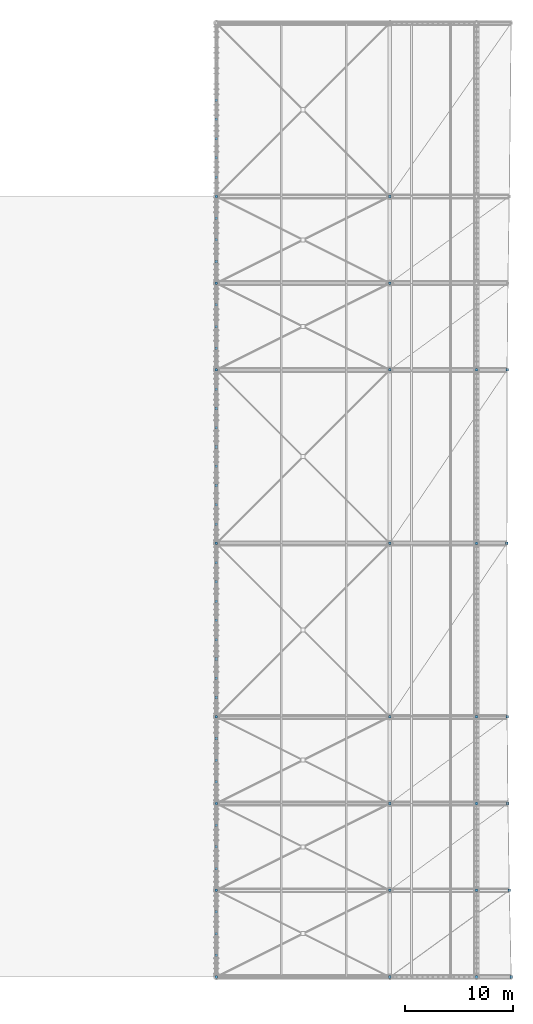
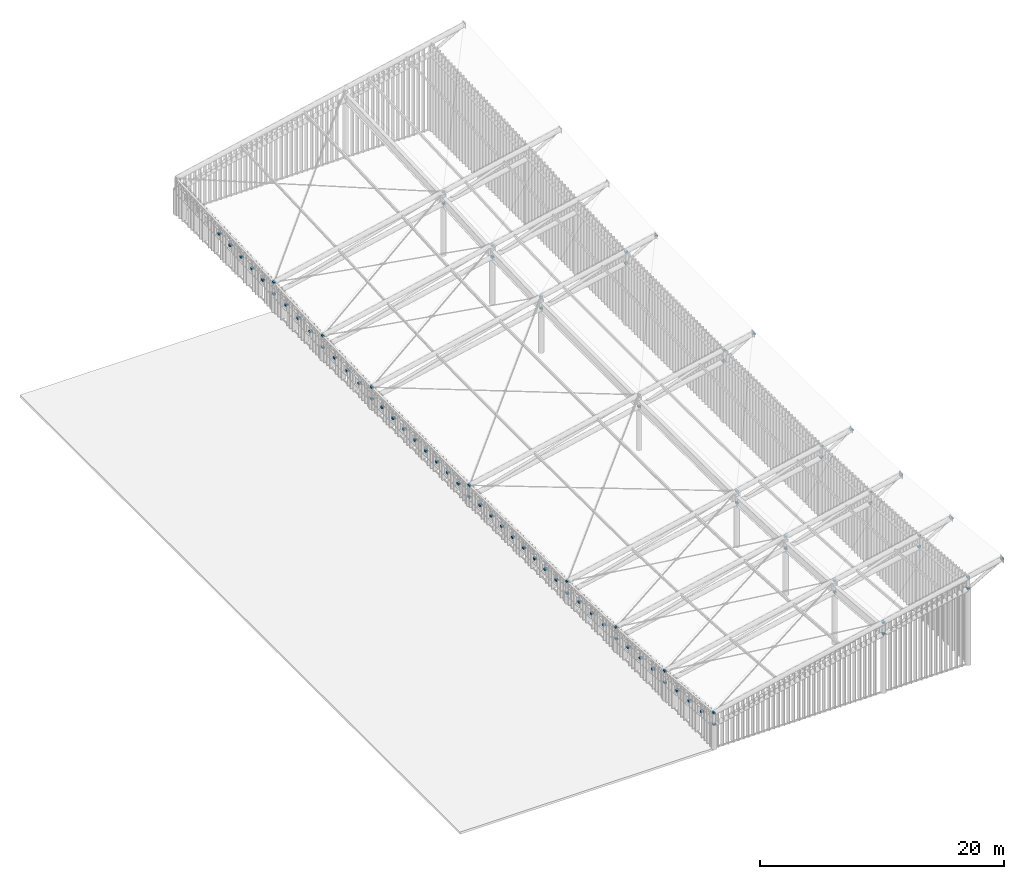
# One storey, part 23 of 25: 86 discrete accessories.
"""IFC4 building model written with IfcOpenShell, lengths in metres."""

import ifcopenshell
import ifcopenshell.guid

model = None  # the IFC model being written
_history = None  # IfcOwnerHistory: only IFC2X3 demands one
_inside = {}  # id of a spatial element -> (the spatial element, [elements in it])
_under = {}  # id of a project, library or spatial element -> (it, [spatial elements below it])
_declared = {}  # id of a project -> (the project, [libraries it declares])
_typed = {}  # id of a type object -> (the type object, [elements of that type])
_made_of = {}  # id of a material, layer set ... -> (it, [elements and type objects made of it])


def new_model(schema):
    """Start an empty IFC model of exactly this schema.

    Asked for "IFC4X3", IfcOpenShell would pick the latest addendum, in which some entities
    have other attributes; the version numbers below select the first issue.
    IFC2X3 requires an IfcOwnerHistory on every rooted entity: one is made here for all.
    """
    global model, _history
    if schema == "IFC4X3":
        model = ifcopenshell.file(schema_version=(4, 3, 0, 0))
    else:
        model = ifcopenshell.file(schema=schema)
    _inside.clear()
    _under.clear()
    _declared.clear()
    _typed.clear()
    _made_of.clear()
    _history = None
    if model.schema == "IFC2X3":
        org = make("IfcOrganization", Name="unknown")
        user = make(
            "IfcPersonAndOrganization",
            ThePerson=make("IfcPerson", FamilyName="unknown"),
            TheOrganization=org,
        )
        app = make(
            "IfcApplication",
            ApplicationDeveloper=org,
            Version="unknown",
            ApplicationFullName="unknown",
            ApplicationIdentifier="unknown",
        )
        _history = make(
            "IfcOwnerHistory",
            OwningUser=user,
            OwningApplication=app,
            ChangeAction="ADDED",
            CreationDate=0,
        )
    return model


def make(cls, **values):
    """One entity of the class cls with the attributes given. An attribute that is None is left unset."""
    return model.create_entity(
        cls, **{name: value for name, value in values.items() if value is not None}
    )


def rooted(cls, **values):
    """An entity with a GlobalId (a new one), such as an element, a storey or a relation."""
    return make(cls, GlobalId=ifcopenshell.guid.new(), OwnerHistory=_history, **values)


def si_unit(unit_type, name, prefix=None):
    """IfcSIUnit, for example si_unit("LENGTHUNIT", "METRE", prefix="MILLI")."""
    return make("IfcSIUnit", UnitType=unit_type, Prefix=prefix, Name=name)


def assignment(units):
    """IfcUnitAssignment: the units of a project."""
    return None if units is None else make("IfcUnitAssignment", Units=units)


def point(xyz):
    """IfcCartesianPoint."""
    return None if xyz is None else make("IfcCartesianPoint", Coordinates=xyz)


def direction(xyz):
    """IfcDirection."""
    return None if xyz is None else make("IfcDirection", DirectionRatios=xyz)


def frame(location, z_axis=None, x_axis=None):
    """IfcAxis2Placement3D, a coordinate frame: its origin and axes. An axis left out is left unset."""
    return make(
        "IfcAxis2Placement3D",
        Location=point(location),
        Axis=direction(z_axis),
        RefDirection=direction(x_axis),
    )


def frame_2d(location, x_axis=None):
    """IfcAxis2Placement2D, a coordinate frame in the plane: its origin and x axis."""
    return make(
        "IfcAxis2Placement2D", Location=point(location), RefDirection=direction(x_axis)
    )


def origin():
    """The frame at (0, 0, 0) with its axes left unset."""
    return frame((0.0, 0.0, 0.0))


def origin_2d():
    """The frame at (0, 0) in the plane with its x axis left unset."""
    return frame_2d((0.0, 0.0))


def place(relative_to, where):
    """IfcLocalPlacement: puts the frame where relative to a parent placement (None: the world)."""
    return make(
        "IfcLocalPlacement", PlacementRelTo=relative_to, RelativePlacement=where
    )


def context(
    kind, dimensions, precision=None, world=None, true_north=None, identifier=None
):
    """IfcGeometricRepresentationContext, for example the 3D "Model" context."""
    return make(
        "IfcGeometricRepresentationContext",
        ContextIdentifier=identifier,
        ContextType=kind,
        CoordinateSpaceDimension=dimensions,
        Precision=precision,
        WorldCoordinateSystem=world,
        TrueNorth=true_north,
    )


def subcontext(parent, identifier, kind, view, scale=None):
    """IfcGeometricRepresentationSubContext, for example "Body" below "Model"."""
    return make(
        "IfcGeometricRepresentationSubContext",
        ContextIdentifier=identifier,
        ContextType=kind,
        ParentContext=parent,
        TargetScale=scale,
        TargetView=view,
    )


def project(units=None, contexts=None):
    """IfcProject with its units and contexts."""
    return rooted(
        "IfcProject",
        Name="project",
        RepresentationContexts=contexts,
        UnitsInContext=assignment(units),
    )


def spatial(cls, under=None, at=None, **own):
    """A site, building, storey or space (cls), placed at a placement, below another one or the project."""
    s = rooted(cls, ObjectPlacement=at, **own)
    if under is not None:
        _under.setdefault(under.id(), (under, []))[1].append(s)
    return s


def profile(cls, at=None, kind="AREA", **sizes):
    """A parametric profile (cls). Its sizes go by their IFC names, for example OverallWidth=200.0."""
    return make(cls, ProfileType=kind, Position=at, **sizes)


def rectangle(**sizes):
    """IfcRectangleProfileDef."""
    return profile("IfcRectangleProfileDef", **sizes)


def extrude(swept, where, along, depth):
    """IfcExtrudedAreaSolid: the profile swept, set in the frame where, extruded along a direction by depth."""
    return make(
        "IfcExtrudedAreaSolid",
        SweptArea=swept,
        Position=where,
        ExtrudedDirection=direction(along),
        Depth=depth,
    )


def shape(context_of_items, identifier, shape_type, items):
    """IfcShapeRepresentation: the items that make up one representation, for example the "Body"."""
    return make(
        "IfcShapeRepresentation",
        ContextOfItems=context_of_items,
        RepresentationIdentifier=identifier,
        RepresentationType=shape_type,
        Items=items,
    )


def material(Name=None, Category=None):
    """IfcMaterial."""
    return make("IfcMaterial", Name=Name, Category=Category)


def layer(
    of_material, thickness, ventilated=None, Name=None, Category=None, Priority=None
):
    """IfcMaterialLayer: one layer of a wall or slab, of a material (None: an air gap)."""
    return make(
        "IfcMaterialLayer",
        Material=of_material,
        LayerThickness=thickness,
        IsVentilated=ventilated,
        Name=Name,
        Category=Category,
        Priority=Priority,
    )


def layer_set(layers, Name=None):
    """IfcMaterialLayerSet."""
    return make("IfcMaterialLayerSet", MaterialLayers=layers, LayerSetName=Name)


def made_of(thing, what):
    """Note that an element or type object is made of a material, layer set ...; save() writes the relation."""
    if what is not None:
        _made_of.setdefault(what.id(), (what, []))[1].append(thing)
    return thing


def type_object(cls, material=None, **own):
    """A type object (cls), such as IfcWallType, which elements share."""
    return made_of(rooted(cls, **own), material)


def element(
    cls,
    number,
    at=None,
    inside=None,
    cuts=None,
    type_object=None,
    material=None,
    context=None,
    identifier="Body",
    shape_type=None,
    held_by="IfcProductDefinitionShape",
    body=None,
    shapes=None,
    **own,
):
    """One element of the class cls, such as IfcWall. Its Tag is "e" and its number.

    at: its placement. inside: the storey or other place that contains it. cuts: it is an
    opening in that element (IfcRelVoidsElement). A single representation is given by context,
    identifier, shape_type and body (its items); several are given by shapes. held_by: the class
    of the entity that holds the representations. save() writes the other relations.
    """
    e = rooted(cls, Tag="e%d" % number, ObjectPlacement=at, **own)
    if body is not None:
        shapes = [shape(context, identifier, shape_type, body)]
    if shapes is not None:
        e.Representation = make(held_by, Representations=shapes)
    if inside is not None:
        _inside.setdefault(inside.id(), (inside, []))[1].append(e)
    if cuts is not None:
        rooted(
            "IfcRelVoidsElement", RelatingBuildingElement=cuts, RelatedOpeningElement=e
        )
    if type_object is not None:
        _typed.setdefault(type_object.id(), (type_object, []))[1].append(e)
    return made_of(e, material)


def aggregate(whole, parts):
    """IfcRelAggregates: a whole, such as a stair, and the parts it consists of."""
    return rooted("IfcRelAggregates", RelatingObject=whole, RelatedObjects=parts)


def save(model, path):
    """Write the relations noted so far, then the file.

    IfcRelAggregates (storeys below a building ...), IfcRelContainedInSpatialStructure (elements
    in a storey), IfcRelDefinesByType, IfcRelAssociatesMaterial and IfcRelDeclares: one each for
    every whole, place, type object, material and project.
    """
    for whole, parts in _under.values():
        aggregate(whole, parts)
    for where, things in _inside.values():
        rooted(
            "IfcRelContainedInSpatialStructure",
            RelatedElements=things,
            RelatingStructure=where,
        )
    for kind, things in _typed.values():
        rooted("IfcRelDefinesByType", RelatedObjects=things, RelatingType=kind)
    for what, things in _made_of.values():
        rooted("IfcRelAssociatesMaterial", RelatedObjects=things, RelatingMaterial=what)
    for by, libraries in _declared.values():
        rooted("IfcRelDeclares", RelatingContext=by, RelatedDefinitions=libraries)
    model.write(path)


model = new_model("IFC4")

# Units and contexts
model_context = context("Model", 3, precision=1e-05, world=origin(), true_north=direction((0.0, 1.0)))
body_context = subcontext(model_context, "Body", "Model", "MODEL_VIEW")
ifc_project = project(units=[si_unit("LENGTHUNIT", "METRE"), si_unit("AREAUNIT", "SQUARE_METRE"), si_unit("VOLUMEUNIT", "CUBIC_METRE"), si_unit("PLANEANGLEUNIT", "RADIAN"), si_unit("MASSUNIT", "GRAM", prefix="KILO")], contexts=[model_context])

# Site, building, storey
site_placement = place(None, origin())
site = spatial("IfcSite", under=ifc_project, at=site_placement, CompositionType="ELEMENT")
building_placement = place(site_placement, origin())
building = spatial("IfcBuilding", under=site, at=building_placement, Name="Haebicheon Civic Stadium", CompositionType="ELEMENT")
storey_placement = place(building_placement, frame((0.0, 0.0, 31.199951171875)))
storey = spatial("IfcBuildingStorey", under=building, at=storey_placement, Name="RF", CompositionType="ELEMENT", Elevation=31.199951171875)

# Discrete accessories
ifc_material = material(Name="White painted steel SM490", Category="steel")
ifc_layer = layer(ifc_material, 0.179931640625, Name="White painted steel SM490")
ifc_layer_set = layer_set([ifc_layer], Name="White painted steel SM490")
discrete_accessory_type = type_object("IfcDiscreteAccessoryType", Name="BRK-END-PLT", PredefinedType="BRACKET", material=ifc_layer_set)
for number, where, z_axis, x_axis, name in (
    (1, (48.0, 48.0, 2.28125), (0.0, 0.0, 1.0), (1.0, 0.0, 0.0), "CAN-WEST truss 1 node bolted end connection plate"),
    (2, (48.0, 48.0, 3.43115234375), (0.0, 0.0, 1.0), (1.0, 0.0, 0.0), "CAN-WEST truss 1 node bolted end connection plate"),
    (3, (64.0, 48.0, 5.72119140625), (0.0, 0.0, 1.0), (1.0, 0.0, 0.0), "CAN-WEST truss 1 node bolted end connection plate"),
    (4, (64.0, 48.0, 6.87109375), (0.0, 0.0, 1.0), (1.0, 0.0, 0.0), "CAN-WEST truss 1 node bolted end connection plate"),
    (5, (72.0, 48.0, 7.44091796875), (0.0, 0.0, 1.0), (1.0, 0.0, 0.0), "CAN-WEST truss 1 node bolted end connection plate"),
    (6, (72.0, 48.0, 8.59130859375), (0.0, 0.0, 1.0), (1.0, 0.0, 0.0), "CAN-WEST truss 1 node bolted end connection plate"),
    (7, (75.199951171875, 48.0, 9.279296875), (0.0, 0.0, 1.0), (1.0, 0.0, 0.0), "CAN-WEST truss 1 node bolted end connection plate"),
    (8, (48.0, 56.0, 1.60693359375), (0.0, 0.0, 1.0), (1.0, 0.0, 0.0), "CAN-WEST truss 2 node bolted end connection plate"),
    (9, (48.0, 56.0, 2.75732421875), (0.0, 0.0, 1.0), (1.0, 0.0, 0.0), "CAN-WEST truss 2 node bolted end connection plate"),
    (10, (64.0, 56.0, 5.046875), (0.0, 0.0, 1.0), (1.0, 0.0, 0.0), "CAN-WEST truss 2 node bolted end connection plate"),
    (11, (64.0, 56.0, 6.197265625), (0.0, 0.0, 1.0), (1.0, 0.0, 0.0), "CAN-WEST truss 2 node bolted end connection plate"),
    (12, (72.0, 56.0, 6.76708984375), (0.0, 0.0, 1.0), (1.0, 0.0, 0.0), "CAN-WEST truss 2 node bolted end connection plate"),
    (13, (72.0, 56.0, 7.9169921875), (0.0, 0.0, 1.0), (1.0, 0.0, 0.0), "CAN-WEST truss 2 node bolted end connection plate"),
    (14, (75.02490234375, 56.0, 8.56689453125), (0.0, 0.0, 1.0), (1.0, 0.0, 0.0), "CAN-WEST truss 2 node bolted end connection plate"),
    (15, (48.0, 64.0, 1.1259765625), (0.0, 0.0, 1.0), (1.0, 0.0, 0.0), "CAN-WEST truss 3 node bolted end connection plate"),
    (16, (48.0, 64.0, 2.27587890625), (0.0, 0.0, 1.0), (1.0, 0.0, 0.0), "CAN-WEST truss 3 node bolted end connection plate"),
    (17, (64.0, 64.0, 4.56591796875), (0.0, 0.0, 1.0), (1.0, 0.0, 0.0), "CAN-WEST truss 3 node bolted end connection plate"),
    (18, (64.0, 64.0, 5.71630859375), (0.0, 0.0, 1.0), (1.0, 0.0, 0.0), "CAN-WEST truss 3 node bolted end connection plate"),
    (19, (72.0, 64.0, 6.2861328125), (0.0, 0.0, 1.0), (1.0, 0.0, 0.0), "CAN-WEST truss 3 node bolted end connection plate"),
    (20, (72.0, 64.0, 7.43603515625), (0.0, 0.0, 1.0), (1.0, 0.0, 0.0), "CAN-WEST truss 3 node bolted end connection plate"),
    (21, (74.89990234375, 64.0, 8.05908203125), (0.0, 0.0, 1.0), (1.0, 0.0, 0.0), "CAN-WEST truss 3 node bolted end connection plate"),
    (22, (48.0, 72.0, 0.8369140625), (0.0, 0.0, 1.0), (1.0, 0.0, 0.0), "CAN-WEST truss 4 node bolted end connection plate"),
    (23, (48.0, 72.0, 1.9873046875), (0.0, 0.0, 1.0), (1.0, 0.0, 0.0), "CAN-WEST truss 4 node bolted end connection plate"),
    (24, (64.0, 72.0, 4.27685546875), (0.0, 0.0, 1.0), (1.0, 0.0, 0.0), "CAN-WEST truss 4 node bolted end connection plate"),
    (25, (64.0, 72.0, 5.42724609375), (0.0, 0.0, 1.0), (1.0, 0.0, 0.0), "CAN-WEST truss 4 node bolted end connection plate"),
    (26, (72.0, 72.0, 5.9970703125), (0.0, 0.0, 1.0), (1.0, 0.0, 0.0), "CAN-WEST truss 4 node bolted end connection plate"),
    (27, (72.0, 72.0, 7.14697265625), (0.0, 0.0, 1.0), (1.0, 0.0, 0.0), "CAN-WEST truss 4 node bolted end connection plate"),
    (28, (74.824951171875, 72.0, 7.75390625), (0.0, 0.0, 1.0), (1.0, 0.0, 0.0), "CAN-WEST truss 4 node bolted end connection plate"),
    (29, (48.0, 88.0, 0.7412109375), (0.0, 0.0, 1.0), (1.0, 0.0, 0.0), "CAN-WEST truss 5 node bolted end connection plate"),
    (30, (48.0, 88.0, 1.89111328125), (0.0, 0.0, 1.0), (1.0, 0.0, 0.0), "CAN-WEST truss 5 node bolted end connection plate"),
    (31, (64.0, 88.0, 4.18115234375), (0.0, 0.0, 1.0), (1.0, 0.0, 0.0), "CAN-WEST truss 5 node bolted end connection plate"),
    (32, (64.0, 88.0, 5.3310546875), (0.0, 0.0, 1.0), (1.0, 0.0, 0.0), "CAN-WEST truss 5 node bolted end connection plate"),
    (33, (72.0, 88.0, 5.90087890625), (0.0, 0.0, 1.0), (1.0, 0.0, 0.0), "CAN-WEST truss 5 node bolted end connection plate"),
    (34, (72.0, 88.0, 7.05126953125), (0.0, 0.0, 1.0), (1.0, 0.0, 0.0), "CAN-WEST truss 5 node bolted end connection plate"),
    (35, (74.800048828125, 88.0, 7.6533203125), (0.0, 0.0, 1.0), (1.0, 0.0, 0.0), "CAN-WEST truss 5 node bolted end connection plate"),
    (36, (48.0, 104.0, 0.8369140625), (0.0, 0.0, 1.0), (1.0, 0.0, 0.0), "CAN-WEST truss 6 node bolted end connection plate"),
    (37, (48.0, 104.0, 1.9873046875), (0.0, 0.0, 1.0), (1.0, 0.0, 0.0), "CAN-WEST truss 6 node bolted end connection plate"),
    (38, (64.0, 104.0, 4.27685546875), (0.0, 0.0, 1.0), (1.0, 0.0, 0.0), "CAN-WEST truss 6 node bolted end connection plate"),
    (39, (64.0, 104.0, 5.42724609375), (0.0, 0.0, 1.0), (1.0, 0.0, 0.0), "CAN-WEST truss 6 node bolted end connection plate"),
    (40, (72.0, 104.0, 5.9970703125), (0.0, 0.0, 1.0), (1.0, 0.0, 0.0), "CAN-WEST truss 6 node bolted end connection plate"),
    (41, (72.0, 104.0, 7.14697265625), (0.0, 0.0, 1.0), (1.0, 0.0, 0.0), "CAN-WEST truss 6 node bolted end connection plate"),
    (42, (74.824951171875, 104.0, 7.75390625), (0.0, 0.0, 1.0), (1.0, 0.0, 0.0), "CAN-WEST truss 6 node bolted end connection plate"),
    (43, (48.0, 112.0, 1.1259765625), (0.0, 0.0, 1.0), (1.0, 0.0, 0.0), "CAN-WEST truss 7 node bolted end connection plate"),
    (44, (48.0, 112.0, 2.27587890625), (0.0, 0.0, 1.0), (1.0, 0.0, 0.0), "CAN-WEST truss 7 node bolted end connection plate"),
    (45, (64.0, 112.0, 4.56591796875), (0.0, 0.0, 1.0), (1.0, 0.0, 0.0), "CAN-WEST truss 7 node bolted end connection plate"),
    (46, (64.0, 112.0, 5.71630859375), (0.0, 0.0, 1.0), (1.0, 0.0, 0.0), "CAN-WEST truss 7 node bolted end connection plate"),
    (47, (48.0, 120.0, 1.60693359375), (0.0, 0.0, 1.0), (1.0, 0.0, 0.0), "CAN-WEST truss 8 node bolted end connection plate"),
    (48, (48.0, 120.0, 2.75732421875), (0.0, 0.0, 1.0), (1.0, 0.0, 0.0), "CAN-WEST truss 8 node bolted end connection plate"),
    (49, (64.0, 120.0, 5.046875), (0.0, 0.0, 1.0), (1.0, 0.0, 0.0), "CAN-WEST truss 8 node bolted end connection plate"),
    (50, (64.0, 120.0, 6.197265625), (0.0, 0.0, 1.0), (1.0, 0.0, 0.0), "CAN-WEST truss 8 node bolted end connection plate"),
    (51, (48.0, 50.0, 2.3623046875), (0.0, 0.0, 1.0), (1.0, 0.0, 0.0), "CAN-WEST hanger base 1.1 bolted end connection plate"),
    (52, (48.0, 52.0, 2.19384765625), (0.0, 0.0, 1.0), (1.0, 0.0, 0.0), "CAN-WEST hanger base 1.2 bolted end connection plate"),
    (53, (48.0, 54.0, 2.02587890625), (0.0, 0.0, 1.0), (1.0, 0.0, 0.0), "CAN-WEST hanger base 1.3 bolted end connection plate"),
    (54, (48.0, 58.0, 1.7373046875), (0.0, 0.0, 1.0), (1.0, 0.0, 0.0), "CAN-WEST hanger base 2.1 bolted end connection plate"),
    (55, (48.0, 60.0, 1.6171875), (0.0, 0.0, 1.0), (1.0, 0.0, 0.0), "CAN-WEST hanger base 2.2 bolted end connection plate"),
    (56, (48.0, 62.0, 1.49609375), (0.0, 0.0, 1.0), (1.0, 0.0, 0.0), "CAN-WEST hanger base 2.3 bolted end connection plate"),
    (57, (48.0, 66.0, 1.30419921875), (0.0, 0.0, 1.0), (1.0, 0.0, 0.0), "CAN-WEST hanger base 3.1 bolted end connection plate"),
    (58, (48.0, 68.0, 1.23193359375), (0.0, 0.0, 1.0), (1.0, 0.0, 0.0), "CAN-WEST hanger base 3.2 bolted end connection plate"),
    (59, (48.0, 70.0, 1.1591796875), (0.0, 0.0, 1.0), (1.0, 0.0, 0.0), "CAN-WEST hanger base 3.3 bolted end connection plate"),
    (60, (48.0, 73.778076171875, 1.076171875), (0.0, 0.0, 1.0), (1.0, 0.0, 0.0), "CAN-WEST hanger base 4.1 bolted end connection plate"),
    (61, (48.0, 75.555908203125, 1.06591796875), (0.0, 0.0, 1.0), (1.0, 0.0, 0.0), "CAN-WEST hanger base 4.2 bolted end connection plate"),
    (62, (48.0, 77.3330078125, 1.05517578125), (0.0, 0.0, 1.0), (1.0, 0.0, 0.0), "CAN-WEST hanger base 4.3 bolted end connection plate"),
    (63, (48.0, 79.111083984375, 1.0439453125), (0.0, 0.0, 1.0), (1.0, 0.0, 0.0), "CAN-WEST hanger base 4.4 bolted end connection plate"),
    (64, (48.0, 80.888916015625, 1.0341796875), (0.0, 0.0, 1.0), (1.0, 0.0, 0.0), "CAN-WEST hanger base 4.5 bolted end connection plate"),
    (65, (48.0, 82.6669921875, 1.02294921875), (0.0, 0.0, 1.0), (1.0, 0.0, 0.0), "CAN-WEST hanger base 4.6 bolted end connection plate"),
    (66, (48.0, 84.444091796875, 1.01220703125), (0.0, 0.0, 1.0), (1.0, 0.0, 0.0), "CAN-WEST hanger base 4.7 bolted end connection plate"),
    (67, (48.0, 86.221923828125, 1.001953125), (0.0, 0.0, 1.0), (1.0, 0.0, 0.0), "CAN-WEST hanger base 4.8 bolted end connection plate"),
    (68, (48.0, 89.778076171875, 1.001953125), (0.0, 0.0, 1.0), (1.0, 0.0, 0.0), "CAN-WEST hanger base 5.1 bolted end connection plate"),
    (69, (48.0, 91.555908203125, 1.01220703125), (0.0, 0.0, 1.0), (1.0, 0.0, 0.0), "CAN-WEST hanger base 5.2 bolted end connection plate"),
    (70, (48.0, 93.3330078125, 1.02294921875), (0.0, 0.0, 1.0), (1.0, 0.0, 0.0), "CAN-WEST hanger base 5.3 bolted end connection plate"),
    (71, (48.0, 95.111083984375, 1.0341796875), (0.0, 0.0, 1.0), (1.0, 0.0, 0.0), "CAN-WEST hanger base 5.4 bolted end connection plate"),
    (72, (48.0, 96.888916015625, 1.0439453125), (0.0, 0.0, 1.0), (1.0, 0.0, 0.0), "CAN-WEST hanger base 5.5 bolted end connection plate"),
    (73, (48.0, 98.6669921875, 1.05517578125), (0.0, 0.0, 1.0), (1.0, 0.0, 0.0), "CAN-WEST hanger base 5.6 bolted end connection plate"),
    (74, (48.0, 100.444091796875, 1.06591796875), (0.0, 0.0, 1.0), (1.0, 0.0, 0.0), "CAN-WEST hanger base 5.7 bolted end connection plate"),
    (75, (48.0, 102.221923828125, 1.076171875), (0.0, 0.0, 1.0), (1.0, 0.0, 0.0), "CAN-WEST hanger base 5.8 bolted end connection plate"),
    (76, (48.0, 106.0, 1.1591796875), (0.0, 0.0, 1.0), (1.0, 0.0, 0.0), "CAN-WEST hanger base 6.1 bolted end connection plate"),
    (77, (48.0, 108.0, 1.23193359375), (0.0, 0.0, 1.0), (1.0, 0.0, 0.0), "CAN-WEST hanger base 6.2 bolted end connection plate"),
    (78, (48.0, 110.0, 1.30419921875), (0.0, 0.0, 1.0), (1.0, 0.0, 0.0), "CAN-WEST hanger base 6.3 bolted end connection plate"),
    (79, (48.0, 114.0, 1.49609375), (0.0, 0.0, 1.0), (1.0, 0.0, 0.0), "CAN-WEST hanger base 7.1 bolted end connection plate"),
    (80, (48.0, 116.0, 1.6171875), (0.0, 0.0, 1.0), (1.0, 0.0, 0.0), "CAN-WEST hanger base 7.2 bolted end connection plate"),
    (81, (48.0, 118.0, 1.7373046875), (0.0, 0.0, 1.0), (1.0, 0.0, 0.0), "CAN-WEST hanger base 7.3 bolted end connection plate"),
    (82, (48.0, 121.778076171875, 1.93212890625), (0.0, 0.0, 1.0), (1.0, 0.0, 0.0), "CAN-WEST hanger base 8.1 bolted end connection plate"),
    (83, (48.0, 123.555908203125, 2.00732421875), (0.0, 0.0, 1.0), (1.0, 0.0, 0.0), "CAN-WEST hanger base 8.2 bolted end connection plate"),
    (84, (48.0, 125.3330078125, 2.08203125), (0.0, 0.0, 1.0), (1.0, 0.0, 0.0), "CAN-WEST hanger base 8.3 bolted end connection plate"),
    (85, (48.0, 127.111083984375, 2.1572265625), (0.0, 0.0, 1.0), (1.0, 0.0, 0.0), "CAN-WEST hanger base 8.4 bolted end connection plate"),
    (86, (48.0, 128.888916015625, 2.23095703125), (0.0, 0.0, 1.0), (1.0, 0.0, 0.0), "CAN-WEST hanger base 8.5 bolted end connection plate"),
):
    element("IfcDiscreteAccessory", number, at=place(storey_placement, frame(where, z_axis=z_axis, x_axis=x_axis)), inside=storey, type_object=discrete_accessory_type, material=ifc_layer_set, Name=name, PredefinedType="BRACKET", context=body_context, shape_type="SweptSolid", body=[
        extrude(rectangle(XDim=0.239990234375, YDim=0.239990234375, at=origin_2d()), origin(), (0.0, 0.0, 1.0), 0.179931640625),
    ])

save(model, "model.ifc")
